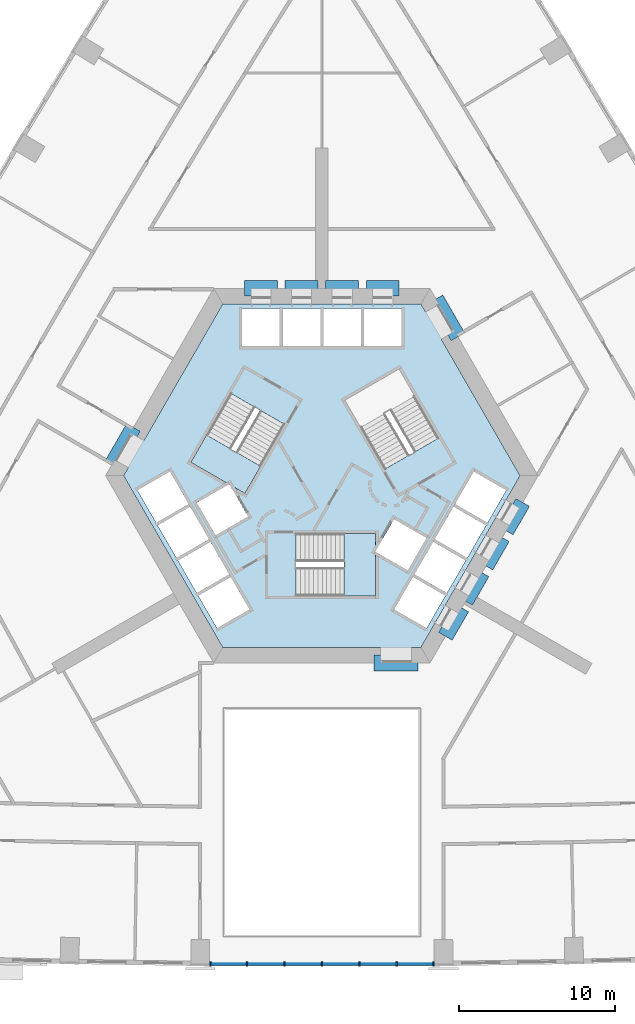
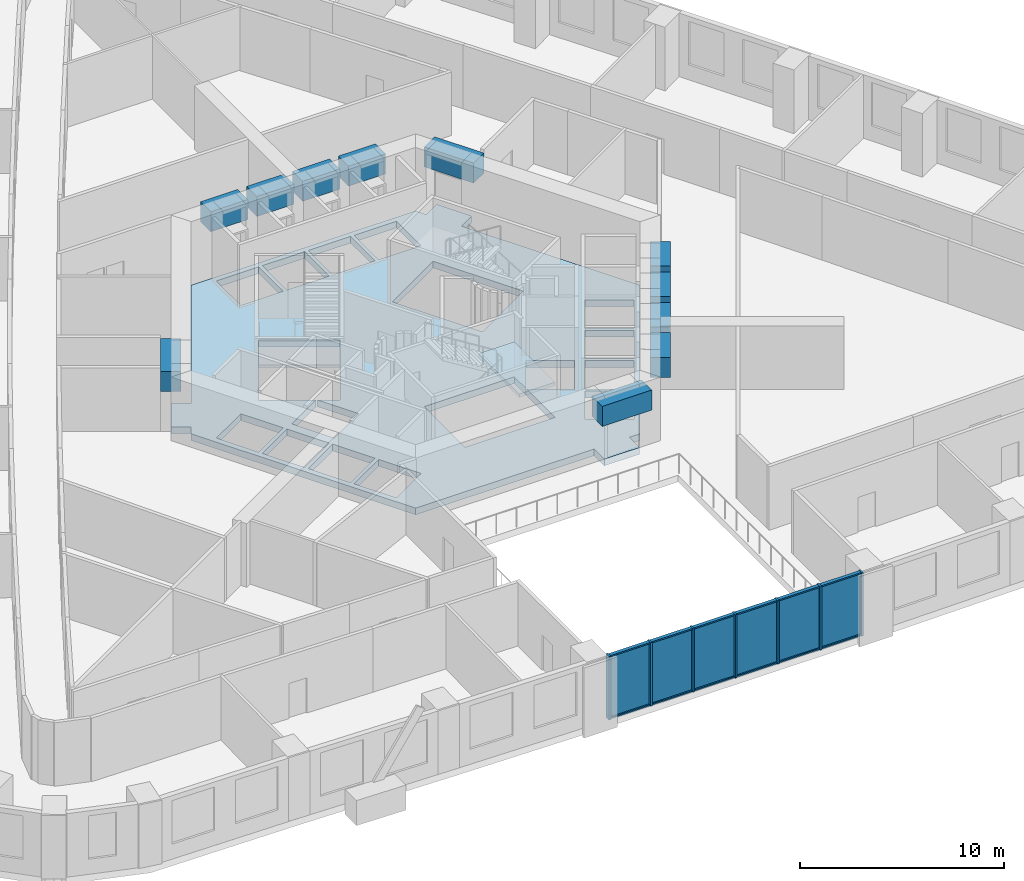
# One storey, part 2 of 13: 19 members, 11 beams, 6 plates, 3 slabs, 3 elements without a shape of their own.
"""IFC4 building model written with IfcOpenShell, lengths in metres."""

from ifc_helpers import new_model, si_unit, direction, frame, origin, origin_2d, place, context, subcontext, project, spatial, polyline, rectangle, outline, extrude, material, layer, layer_set, material_profile, profile_set, type_object, element, aggregate, save


model = new_model("IFC4")

# Units and contexts
model_context = context("Model", 3, precision=1e-05, world=origin(), true_north=direction((0.0, 1.0)))
body_context = subcontext(model_context, "Body", "Model", "MODEL_VIEW")
ifc_project = project(units=[si_unit("LENGTHUNIT", "METRE"), si_unit("AREAUNIT", "SQUARE_METRE"), si_unit("VOLUMEUNIT", "CUBIC_METRE"), si_unit("PLANEANGLEUNIT", "RADIAN"), si_unit("MASSUNIT", "GRAM", prefix="KILO")], contexts=[model_context])

# Site, building, storey
site_placement = place(None, origin())
site = spatial("IfcSite", under=ifc_project, at=site_placement, CompositionType="ELEMENT")
building_placement = place(site_placement, origin())
building = spatial("IfcBuilding", under=site, at=building_placement, Name="Entoto Arch Interchange Tower", CompositionType="ELEMENT")
storey_placement = place(building_placement, frame((0.0, 0.0, 51.800048828125)))
storey = spatial("IfcBuildingStorey", under=building, at=storey_placement, Name="L10", CompositionType="ELEMENT", Elevation=51.800048828125)

# Beams
ifc_material_1 = material(Name="Concrete C60/75", Category="concrete")
ifc_material_profile_1 = material_profile(ifc_material_1, rectangle(XDim=1.0, YDim=1.199951171875, at=origin_2d()))
ifc_profile_set_1 = profile_set([ifc_material_profile_1], Name="Concrete C60/75")
beam_type = type_object("IfcBeamType", Name="Coupling beam RC 1000x1200 C60/75", PredefinedType="BEAM", material=ifc_profile_set_1)
beam_1_placement = place(storey_placement, frame((8.717041015625, 11.402099609375, 3.0), z_axis=(-0.500200581029, 0.865909567298, 0.0), x_axis=(-0.865909567298, -0.500200581029, 0.0)))
element("IfcBeam", 1, at=beam_1_placement, inside=storey, type_object=beam_type, Name="Coupling beam NE L10", PredefinedType="BEAM", context=body_context, shape_type="SweptSolid", body=[
    extrude(rectangle(XDim=1.0, YDim=1.199951171875, at=origin_2d()), origin(), (0.0, 0.0, 1.0), 2.799072265625),
])
beam_2_placement = place(storey_placement, frame((4.949951171875, 14.5, 3.0), z_axis=(-1.0, 0.0, 0.0), x_axis=(0.0, -1.0, 0.0)))
element("IfcBeam", 2, at=beam_2_placement, inside=storey, type_object=beam_type, Name="Coupling beam N L10", PredefinedType="BEAM", context=body_context, shape_type="SweptSolid", body=[
    extrude(rectangle(XDim=1.0, YDim=1.199951171875, at=origin_2d()), origin(), (0.0, 0.0, 1.0), 2.099853515625),
])
for number, where, z_axis, x_axis, name in (
    (3, (2.35009765625, 14.5, 3.0), (-1.0, 0.0, 0.0), (0.0, -1.0, 0.0), "Coupling beam N L10"),
    (4, (-0.25, 14.5, 3.0), (-1.0, 0.0, 0.0), (0.0, -1.0, 0.0), "Coupling beam N L10"),
):
    element("IfcBeam", number, at=place(storey_placement, frame(where, z_axis=z_axis, x_axis=x_axis)), inside=storey, type_object=beam_type, Name=name, PredefinedType="BEAM", context=body_context, shape_type="SweptSolid", body=[
        extrude(rectangle(XDim=1.0, YDim=1.199951171875, at=origin_2d()), origin(), (0.0, 0.0, 1.0), 2.10009765625),
    ])
beam_3_placement = place(storey_placement, frame((-2.85009765625, 14.5, 3.0), z_axis=(-1.0, 0.0, 0.0), x_axis=(0.0, -1.0, 0.0)))
element("IfcBeam", 5, at=beam_3_placement, inside=storey, type_object=beam_type, Name="Coupling beam N L10", PredefinedType="BEAM", context=body_context, shape_type="SweptSolid", body=[
    extrude(rectangle(XDim=1.0, YDim=1.199951171875, at=origin_2d()), origin(), (0.0, 0.0, 1.0), 2.099853515625),
])
beam_4_placement = place(storey_placement, frame((-12.06689453125, 5.597900390625, 3.0), z_axis=(-0.500200581029, -0.865909567298, 0.0), x_axis=(0.865909567298, -0.500200581029, 0.0)))
element("IfcBeam", 6, at=beam_4_placement, inside=storey, type_object=beam_type, Name="Coupling beam NW L10", PredefinedType="BEAM", context=body_context, shape_type="SweptSolid", body=[
    extrude(rectangle(XDim=1.0, YDim=1.199951171875, at=origin_2d()), origin(), (0.0, 0.0, 1.0), 2.799072265625),
])
beam_5_placement = place(storey_placement, frame((3.35009765625, -9.5, 3.0), z_axis=(1.0, 0.0, 0.0), x_axis=(0.0, 1.0, 0.0)))
element("IfcBeam", 7, at=beam_5_placement, inside=storey, type_object=beam_type, Name="Coupling beam S L10", PredefinedType="BEAM", context=body_context, shape_type="SweptSolid", body=[
    extrude(rectangle(XDim=1.0, YDim=1.199951171875, at=origin_2d()), origin(), (0.0, 0.0, 1.0), 2.7998046875),
])
for number, where, z_axis, x_axis, name in (
    (8, (7.9169921875, -7.785888671875, 3.0), (0.500178781653, 0.865922159541, 0.0), (-0.865922159541, 0.500178781653, 0.0), "Coupling beam SE L10"),
    (9, (9.217041015625, -5.534912109375, 3.0), (0.500178781653, 0.865922159541, 0.0), (-0.865922159541, 0.500178781653, 0.0), "Coupling beam SE L10"),
):
    element("IfcBeam", number, at=place(storey_placement, frame(where, z_axis=z_axis, x_axis=x_axis)), inside=storey, type_object=beam_type, Name=name, PredefinedType="BEAM", context=body_context, shape_type="SweptSolid", body=[
        extrude(rectangle(XDim=1.0, YDim=1.199951171875, at=origin_2d()), origin(), (0.0, 0.0, 1.0), 2.099365234375),
    ])
beam_6_placement = place(storey_placement, frame((10.51708984375, -3.282958984375, 3.0), z_axis=(0.500091574638, 0.865972526687, 0.0), x_axis=(-0.865972526687, 0.500091574638, 0.0)))
element("IfcBeam", 10, at=beam_6_placement, inside=storey, type_object=beam_type, Name="Coupling beam SE L10", PredefinedType="BEAM", context=body_context, shape_type="SweptSolid", body=[
    extrude(rectangle(XDim=1.0, YDim=1.199951171875, at=origin_2d()), origin(), (0.0, 0.0, 1.0), 2.09912109375),
])
beam_7_placement = place(storey_placement, frame((11.81689453125, -1.031982421875, 3.0), z_axis=(0.500178781653, 0.865922159541, 0.0), x_axis=(-0.865922159541, 0.500178781653, 0.0)))
element("IfcBeam", 11, at=beam_7_placement, inside=storey, type_object=beam_type, Name="Coupling beam SE L10", PredefinedType="BEAM", context=body_context, shape_type="SweptSolid", body=[
    extrude(rectangle(XDim=1.0, YDim=1.199951171875, at=origin_2d()), origin(), (0.0, 0.0, 1.0), 2.099365234375),
])

# Curtain wall, members
ifc_material_2 = material(Name="Aluminium, anodised", Category="aluminium")
curtain_wall_type = type_object("IfcCurtainWallType", Name="CURTAIN WALL ATRIUM", PredefinedType="NOTDEFINED", material=ifc_material_2)
curtain_wall_placement = place(storey_placement, origin())
curtain_wall = element("IfcCurtainWall", 12, at=curtain_wall_placement, inside=storey, type_object=curtain_wall_type, Name="Atrium glazing S-04 L10", PredefinedType="NOTDEFINED")
ifc_material_profile_2 = material_profile(ifc_material_2, rectangle(XDim=0.300048828125, YDim=0.10009765625, at=origin_2d()))
ifc_profile_set_2 = profile_set([ifc_material_profile_2], Name="Aluminium, anodised")
member_type_1 = type_object("IfcMemberType", Name="MULLION ATRIUM 100x300", PredefinedType="MULLION", material=ifc_profile_set_2)
member_1_placement = place(storey_placement, frame((-7.14794921875, -28.784912109375, 0.0), z_axis=(0.0, 0.0, 1.0), x_axis=(0.0, 1.0, 0.0)))
member_1 = element("IfcMember", 13, at=member_1_placement, type_object=member_type_1, Name="CWA mullion 1", PredefinedType="MULLION", context=body_context, shape_type="SweptSolid", body=[
    extrude(rectangle(XDim=0.300048828125, YDim=0.10009765625, at=origin_2d()), origin(), (0.0, 0.0, 1.0), 3.800048828125),
])
member_2_placement = place(storey_placement, frame((-4.798583984375, -28.784912109375, 0.0), z_axis=(0.0, 0.0, 1.0), x_axis=(0.0, 1.0, 0.0)))
member_2 = element("IfcMember", 14, at=member_2_placement, type_object=member_type_1, Name="CWA mullion 2", PredefinedType="MULLION", context=body_context, shape_type="SweptSolid", body=[
    extrude(rectangle(XDim=0.300048828125, YDim=0.10009765625, at=origin_2d()), origin(), (0.0, 0.0, 1.0), 3.800048828125),
])
member_3_placement = place(storey_placement, frame((-2.3994140625, -28.784912109375, 0.0), z_axis=(0.0, 0.0, 1.0), x_axis=(0.0, 1.0, 0.0)))
member_3 = element("IfcMember", 15, at=member_3_placement, type_object=member_type_1, Name="CWA mullion 3", PredefinedType="MULLION", context=body_context, shape_type="SweptSolid", body=[
    extrude(rectangle(XDim=0.300048828125, YDim=0.10009765625, at=origin_2d()), origin(), (0.0, 0.0, 1.0), 3.800048828125),
])
member_4_placement = place(storey_placement, frame((0.0, -28.784912109375, 0.0), z_axis=(0.0, 0.0, 1.0), x_axis=(0.0, 1.0, 0.0)))
member_4 = element("IfcMember", 16, at=member_4_placement, type_object=member_type_1, Name="CWA mullion 4", PredefinedType="MULLION", context=body_context, shape_type="SweptSolid", body=[
    extrude(rectangle(XDim=0.300048828125, YDim=0.10009765625, at=origin_2d()), origin(), (0.0, 0.0, 1.0), 3.800048828125),
])
member_5_placement = place(storey_placement, frame((2.3994140625, -28.784912109375, 0.0), z_axis=(0.0, 0.0, 1.0), x_axis=(0.0, 1.0, 0.0)))
member_5 = element("IfcMember", 17, at=member_5_placement, type_object=member_type_1, Name="CWA mullion 5", PredefinedType="MULLION", context=body_context, shape_type="SweptSolid", body=[
    extrude(rectangle(XDim=0.300048828125, YDim=0.10009765625, at=origin_2d()), origin(), (0.0, 0.0, 1.0), 3.800048828125),
])
member_6_placement = place(storey_placement, frame((4.798583984375, -28.784912109375, 0.0), z_axis=(0.0, 0.0, 1.0), x_axis=(0.0, 1.0, 0.0)))
member_6 = element("IfcMember", 18, at=member_6_placement, type_object=member_type_1, Name="CWA mullion 6", PredefinedType="MULLION", context=body_context, shape_type="SweptSolid", body=[
    extrude(rectangle(XDim=0.300048828125, YDim=0.10009765625, at=origin_2d()), origin(), (0.0, 0.0, 1.0), 3.800048828125),
])
member_7_placement = place(storey_placement, frame((7.14794921875, -28.784912109375, 0.0), z_axis=(0.0, 0.0, 1.0), x_axis=(0.0, 1.0, 0.0)))
member_7 = element("IfcMember", 19, at=member_7_placement, type_object=member_type_1, Name="CWA mullion 7", PredefinedType="MULLION", context=body_context, shape_type="SweptSolid", body=[
    extrude(rectangle(XDim=0.300048828125, YDim=0.10009765625, at=origin_2d()), origin(), (0.0, 0.0, 1.0), 3.800048828125),
])
ifc_material_profile_3 = material_profile(ifc_material_2, rectangle(XDim=0.199951171875, YDim=0.080078125, at=origin_2d()))
ifc_profile_set_3 = profile_set([ifc_material_profile_3], Name="Aluminium, anodised")
member_type_2 = type_object("IfcMemberType", Name="TRANSOM ATRIUM 80x200", PredefinedType="USERDEFINED", material=ifc_profile_set_3)
member_8_placement = place(storey_placement, frame((-7.097900390625, -28.784912109375, 0.0400390625), z_axis=(1.0, 0.0, 0.0), x_axis=(0.0, 1.0, 0.0)))
member_8 = element("IfcMember", 20, at=member_8_placement, type_object=member_type_2, Name="CWA transom 1.1", ObjectType="TRANSOM", PredefinedType="USERDEFINED", context=body_context, shape_type="SweptSolid", body=[
    extrude(rectangle(XDim=0.199951171875, YDim=0.080078125, at=origin_2d()), origin(), (0.0, 0.0, 1.0), 2.249267578125),
])
member_9_placement = place(storey_placement, frame((-7.097900390625, -28.784912109375, 3.760009765625), z_axis=(1.0, 0.0, 0.0), x_axis=(0.0, 1.0, 0.0)))
member_9 = element("IfcMember", 21, at=member_9_placement, type_object=member_type_2, Name="CWA transom 1.2", ObjectType="TRANSOM", PredefinedType="USERDEFINED", context=body_context, shape_type="SweptSolid", body=[
    extrude(rectangle(XDim=0.199951171875, YDim=0.080078125, at=origin_2d()), origin(), (0.0, 0.0, 1.0), 2.249267578125),
])
member_10_placement = place(storey_placement, frame((-4.748779296875, -28.784912109375, 0.0400390625), z_axis=(1.0, 0.0, 0.0), x_axis=(0.0, 1.0, 0.0)))
member_10 = element("IfcMember", 22, at=member_10_placement, type_object=member_type_2, Name="CWA transom 2.1", ObjectType="TRANSOM", PredefinedType="USERDEFINED", context=body_context, shape_type="SweptSolid", body=[
    extrude(rectangle(XDim=0.199951171875, YDim=0.080078125, at=origin_2d()), origin(), (0.0, 0.0, 1.0), 2.299560546875),
])
member_11_placement = place(storey_placement, frame((-4.748779296875, -28.784912109375, 3.760009765625), z_axis=(1.0, 0.0, 0.0), x_axis=(0.0, 1.0, 0.0)))
member_11 = element("IfcMember", 23, at=member_11_placement, type_object=member_type_2, Name="CWA transom 2.2", ObjectType="TRANSOM", PredefinedType="USERDEFINED", context=body_context, shape_type="SweptSolid", body=[
    extrude(rectangle(XDim=0.199951171875, YDim=0.080078125, at=origin_2d()), origin(), (0.0, 0.0, 1.0), 2.299560546875),
])
member_12_placement = place(storey_placement, frame((-2.349365234375, -28.784912109375, 0.0400390625), z_axis=(1.0, 0.0, 0.0), x_axis=(0.0, 1.0, 0.0)))
member_12 = element("IfcMember", 24, at=member_12_placement, type_object=member_type_2, Name="CWA transom 3.1", ObjectType="TRANSOM", PredefinedType="USERDEFINED", context=body_context, shape_type="SweptSolid", body=[
    extrude(rectangle(XDim=0.199951171875, YDim=0.080078125, at=origin_2d()), origin(), (0.0, 0.0, 1.0), 2.29931640625),
])
member_13_placement = place(storey_placement, frame((-2.349365234375, -28.784912109375, 3.760009765625), z_axis=(1.0, 0.0, 0.0), x_axis=(0.0, 1.0, 0.0)))
member_13 = element("IfcMember", 25, at=member_13_placement, type_object=member_type_2, Name="CWA transom 3.2", ObjectType="TRANSOM", PredefinedType="USERDEFINED", context=body_context, shape_type="SweptSolid", body=[
    extrude(rectangle(XDim=0.199951171875, YDim=0.080078125, at=origin_2d()), origin(), (0.0, 0.0, 1.0), 2.29931640625),
])
member_14_placement = place(storey_placement, frame((0.050048828125, -28.784912109375, 0.0400390625), z_axis=(1.0, 0.0, 0.0), x_axis=(0.0, 1.0, 0.0)))
member_14 = element("IfcMember", 26, at=member_14_placement, type_object=member_type_2, Name="CWA transom 4.1", ObjectType="TRANSOM", PredefinedType="USERDEFINED", context=body_context, shape_type="SweptSolid", body=[
    extrude(rectangle(XDim=0.199951171875, YDim=0.080078125, at=origin_2d()), origin(), (0.0, 0.0, 1.0), 2.29931640625),
])
member_15_placement = place(storey_placement, frame((0.050048828125, -28.784912109375, 3.760009765625), z_axis=(1.0, 0.0, 0.0), x_axis=(0.0, 1.0, 0.0)))
member_15 = element("IfcMember", 27, at=member_15_placement, type_object=member_type_2, Name="CWA transom 4.2", ObjectType="TRANSOM", PredefinedType="USERDEFINED", context=body_context, shape_type="SweptSolid", body=[
    extrude(rectangle(XDim=0.199951171875, YDim=0.080078125, at=origin_2d()), origin(), (0.0, 0.0, 1.0), 2.29931640625),
])
member_16_placement = place(storey_placement, frame((2.44921875, -28.784912109375, 0.0400390625), z_axis=(1.0, 0.0, 0.0), x_axis=(0.0, 1.0, 0.0)))
member_16 = element("IfcMember", 28, at=member_16_placement, type_object=member_type_2, Name="CWA transom 5.1", ObjectType="TRANSOM", PredefinedType="USERDEFINED", context=body_context, shape_type="SweptSolid", body=[
    extrude(rectangle(XDim=0.199951171875, YDim=0.080078125, at=origin_2d()), origin(), (0.0, 0.0, 1.0), 2.299560546875),
])
member_17_placement = place(storey_placement, frame((2.44921875, -28.784912109375, 3.760009765625), z_axis=(1.0, 0.0, 0.0), x_axis=(0.0, 1.0, 0.0)))
member_17 = element("IfcMember", 29, at=member_17_placement, type_object=member_type_2, Name="CWA transom 5.2", ObjectType="TRANSOM", PredefinedType="USERDEFINED", context=body_context, shape_type="SweptSolid", body=[
    extrude(rectangle(XDim=0.199951171875, YDim=0.080078125, at=origin_2d()), origin(), (0.0, 0.0, 1.0), 2.299560546875),
])
member_18_placement = place(storey_placement, frame((4.8486328125, -28.784912109375, 0.0400390625), z_axis=(1.0, 0.0, 0.0), x_axis=(0.0, 1.0, 0.0)))
member_18 = element("IfcMember", 30, at=member_18_placement, type_object=member_type_2, Name="CWA transom 6.1", ObjectType="TRANSOM", PredefinedType="USERDEFINED", context=body_context, shape_type="SweptSolid", body=[
    extrude(rectangle(XDim=0.199951171875, YDim=0.080078125, at=origin_2d()), origin(), (0.0, 0.0, 1.0), 2.249267578125),
])
member_19_placement = place(storey_placement, frame((4.8486328125, -28.784912109375, 3.760009765625), z_axis=(1.0, 0.0, 0.0), x_axis=(0.0, 1.0, 0.0)))
member_19 = element("IfcMember", 31, at=member_19_placement, type_object=member_type_2, Name="CWA transom 6.2", ObjectType="TRANSOM", PredefinedType="USERDEFINED", context=body_context, shape_type="SweptSolid", body=[
    extrude(rectangle(XDim=0.199951171875, YDim=0.080078125, at=origin_2d()), origin(), (0.0, 0.0, 1.0), 2.249267578125),
])

# Slab
ifc_material_3 = material(Name="Concrete C40/50", Category="concrete")
ifc_layer_1 = layer(ifc_material_3, 0.39990234375)
ifc_layer_set_1 = layer_set([ifc_layer_1], Name="Concrete C40/50")
slab_type_1 = type_object("IfcSlabType", Name="Core floor slab 400 C40/50", PredefinedType="FLOOR", material=ifc_layer_set_1)
slab_1_placement = place(storey_placement, frame((0.0, 0.0, -0.400146484375)))
element("IfcSlab", 32, at=slab_1_placement, inside=storey, type_object=slab_type_1, Name="Core floor slab L10", PredefinedType="FLOOR", context=body_context, shape_type="SweptSolid", body=[
    extrude(outline(polyline([(5.75, -9.5), (3.75, -9.5), (3.75, -8.5), (-6.35107421875, -8.5), (-12.701904296875, 2.5), (-12.402099609375, 3.02001953125), (-13.26708984375, 3.52001953125), (-12.26708984375, 5.251953125), (-11.402099609375, 4.751953125), (-6.35107421875, 13.5), (6.35107421875, 13.5), (6.65087890625, 12.97998046875), (7.51708984375, 13.47998046875), (8.51708984375, 11.748046875), (7.65087890625, 11.248046875), (12.701904296875, 2.5), (6.35107421875, -8.5), (5.75, -8.5), (5.75, -9.5)]), holes=[polyline([(-4.637939453125, -6.06689453125), (-5.837890625, -3.988037109375), (-7.916015625, -5.18798828125), (-6.716064453125, -7.26708984375), (-4.637939453125, -6.06689453125)]), polyline([(-5.93798828125, -3.81494140625), (-7.137939453125, -1.737060546875), (-9.216064453125, -2.93701171875), (-8.01611328125, -5.014892578125), (-5.93798828125, -3.81494140625)]), polyline([(5.5048828125, -3.56494140625), (6.705078125, -1.487060546875), (4.626953125, -0.287109375), (3.449951171875, -2.324951171875), (3.449951171875, -1.199951171875), (-1.64990234375, -1.199951171875), (-1.64990234375, -5.199951171875), (3.449951171875, -5.199951171875), (3.449951171875, -2.3779296875), (5.5048828125, -3.56494140625)]), polyline([(-7.238037109375, -1.56298828125), (-8.43798828125, 0.514892578125), (-10.51611328125, -0.68505859375), (-9.31591796875, -2.762939453125), (-7.238037109375, -1.56298828125)]), polyline([(-4.72705078125, -0.113037109375), (-5.904052734375, 1.925048828125), (-4.928955078125, 1.362060546875), (-2.37890625, 5.779052734375), (-5.843017578125, 7.779052734375), (-8.39306640625, 3.362060546875), (-5.949951171875, 1.951904296875), (-8.0048828125, 0.764892578125), (-6.804931640625, -1.31298828125), (-4.72705078125, -0.113037109375)]), polyline([(-8.5380859375, 0.68798828125), (-9.738037109375, 2.76708984375), (-11.81591796875, 1.56689453125), (-10.615966796875, -0.511962890625), (-8.5380859375, 0.68798828125)]), polyline([(-5.10009765625, 10.800048828125), (-2.699951171875, 10.800048828125), (-2.699951171875, 13.199951171875), (-5.10009765625, 13.199951171875), (-5.10009765625, 10.800048828125)]), polyline([(-2.5, 10.800048828125), (-0.10009765625, 10.800048828125), (-0.10009765625, 13.199951171875), (-2.5, 13.199951171875), (-2.5, 10.800048828125)]), polyline([(5.837890625, -3.988037109375), (4.637939453125, -6.06689453125), (6.716064453125, -7.26708984375), (7.916015625, -5.18798828125), (5.837890625, -3.988037109375)]), polyline([(7.137939453125, -1.737060546875), (5.93798828125, -3.81494140625), (8.01611328125, -5.014892578125), (9.216064453125, -2.93701171875), (7.137939453125, -1.737060546875)]), polyline([(8.43798828125, 0.514892578125), (7.238037109375, -1.56298828125), (9.31591796875, -2.762939453125), (10.51611328125, -0.68505859375), (8.43798828125, 0.514892578125)]), polyline([(9.738037109375, 2.76708984375), (8.5380859375, 0.68798828125), (10.615966796875, -0.511962890625), (11.81591796875, 1.56689453125), (9.738037109375, 2.76708984375)]), polyline([(4.029052734375, 2.9208984375), (7.492919921875, 4.9208984375), (4.943115234375, 9.337890625), (1.47900390625, 7.337890625), (4.029052734375, 2.9208984375)]), polyline([(0.10009765625, 13.199951171875), (0.10009765625, 10.800048828125), (2.5, 10.800048828125), (2.5, 13.199951171875), (0.10009765625, 13.199951171875)]), polyline([(2.699951171875, 13.199951171875), (2.699951171875, 10.800048828125), (5.10009765625, 10.800048828125), (5.10009765625, 13.199951171875), (2.699951171875, 13.199951171875)])]), origin(), (0.0, 0.0, 1.0), 0.400146484375),
])

# Stair, slab
stair_type = type_object("IfcStairType", Name="EXIT STAIR RC 1800", PredefinedType="HALF_TURN_STAIR", material=ifc_material_3)
stair_1_placement = place(storey_placement, origin())
stair_1 = element("IfcStair", 33, at=stair_1_placement, inside=storey, type_object=stair_type, Name="L10 Exit stair S", PredefinedType="HALF_TURN_STAIR")
ifc_layer_2 = layer(ifc_material_3, 0.199951171875)
ifc_layer_set_2 = layer_set([ifc_layer_2], Name="Concrete C40/50")
slab_type_2 = type_object("IfcSlabType", Name="EXIT STAIR LANDING RC 200", PredefinedType="LANDING", material=ifc_layer_set_2)
slab_2_placement = place(storey_placement, frame((0.0, 0.0, 1.89990234375)))
slab_2 = element("IfcSlab", 34, at=slab_2_placement, type_object=slab_type_2, Name="ST-S landing 1", PredefinedType="LANDING", context=body_context, shape_type="SweptSolid", body=[
    extrude(outline(polyline([(1.429931640625, -5.199951171875), (3.449951171875, -5.199951171875), (3.449951171875, -1.199951171875), (1.429931640625, -1.199951171875), (1.429931640625, -5.199951171875)])), origin(), (0.0, 0.0, 1.0), 0.199951171875),
])
aggregate(stair_1, [slab_2])

stair_2_placement = place(storey_placement, origin())
stair_2 = element("IfcStair", 35, at=stair_2_placement, inside=storey, type_object=stair_type, Name="L10 Exit stair NW", PredefinedType="HALF_TURN_STAIR")
slab_3_placement = place(storey_placement, frame((0.0, 0.0, 1.89990234375)))
slab_3 = element("IfcSlab", 36, at=slab_3_placement, type_object=slab_type_2, Name="ST-NW landing 1", PredefinedType="LANDING", context=body_context, shape_type="SweptSolid", body=[
    extrude(outline(polyline([(-7.38330078125, 5.111572265625), (-8.393310546875, 3.3623046875), (-4.92919921875, 1.3623046875), (-3.919189453125, 3.111572265625), (-7.38330078125, 5.111572265625)])), origin(), (0.0, 0.0, 1.0), 0.199951171875),
])
aggregate(stair_2, [slab_3])

# Plate
ifc_material_4 = material(Name="Clear glass, low-e double glazed", Category="glass")
ifc_layer_3 = layer(ifc_material_4, 0.031982421875)
ifc_layer_set_3 = layer_set([ifc_layer_3], Name="Clear glass, low-e double glazed")
plate_type = type_object("IfcPlateType", Name="GLAZING PANEL ATRIUM 32", PredefinedType="CURTAIN_PANEL", material=ifc_layer_set_3)
plate_1_placement = place(storey_placement, frame((-5.973388671875, -28.784912109375, 0.080078125), z_axis=(0.0, 0.0, 1.0), x_axis=(1.0, 0.0, 0.0)))
plate_1 = element("IfcPlate", 37, at=plate_1_placement, type_object=plate_type, Name="CWA panel 1.1", PredefinedType="CURTAIN_PANEL", context=body_context, shape_type="SweptSolid", body=[
    extrude(rectangle(XDim=2.249267578125, YDim=0.031982421875, at=origin_2d()), origin(), (0.0, 0.0, 1.0), 3.639892578125),
])

plate_2_placement = place(storey_placement, frame((-3.59912109375, -28.784912109375, 0.080078125), z_axis=(0.0, 0.0, 1.0), x_axis=(1.0, 0.0, 0.0)))
plate_2 = element("IfcPlate", 38, at=plate_2_placement, type_object=plate_type, Name="CWA panel 2.1", PredefinedType="CURTAIN_PANEL", context=body_context, shape_type="SweptSolid", body=[
    extrude(rectangle(XDim=2.29931640625, YDim=0.031982421875, at=origin_2d()), origin(), (0.0, 0.0, 1.0), 3.639892578125),
])

plate_3_placement = place(storey_placement, frame((-1.19970703125, -28.784912109375, 0.080078125), z_axis=(0.0, 0.0, 1.0), x_axis=(1.0, 0.0, 0.0)))
plate_3 = element("IfcPlate", 39, at=plate_3_placement, type_object=plate_type, Name="CWA panel 3.1", PredefinedType="CURTAIN_PANEL", context=body_context, shape_type="SweptSolid", body=[
    extrude(rectangle(XDim=2.29931640625, YDim=0.031982421875, at=origin_2d()), origin(), (0.0, 0.0, 1.0), 3.639892578125),
])

plate_4_placement = place(storey_placement, frame((1.19970703125, -28.784912109375, 0.080078125), z_axis=(0.0, 0.0, 1.0), x_axis=(1.0, 0.0, 0.0)))
plate_4 = element("IfcPlate", 40, at=plate_4_placement, type_object=plate_type, Name="CWA panel 4.1", PredefinedType="CURTAIN_PANEL", context=body_context, shape_type="SweptSolid", body=[
    extrude(rectangle(XDim=2.29931640625, YDim=0.031982421875, at=origin_2d()), origin(), (0.0, 0.0, 1.0), 3.639892578125),
])

plate_5_placement = place(storey_placement, frame((3.59912109375, -28.784912109375, 0.080078125), z_axis=(0.0, 0.0, 1.0), x_axis=(1.0, 0.0, 0.0)))
plate_5 = element("IfcPlate", 41, at=plate_5_placement, type_object=plate_type, Name="CWA panel 5.1", PredefinedType="CURTAIN_PANEL", context=body_context, shape_type="SweptSolid", body=[
    extrude(rectangle(XDim=2.29931640625, YDim=0.031982421875, at=origin_2d()), origin(), (0.0, 0.0, 1.0), 3.639892578125),
])

plate_6_placement = place(storey_placement, frame((5.973388671875, -28.784912109375, 0.080078125), z_axis=(0.0, 0.0, 1.0), x_axis=(1.0, 0.0, 0.0)))
plate_6 = element("IfcPlate", 42, at=plate_6_placement, type_object=plate_type, Name="CWA panel 6.1", PredefinedType="CURTAIN_PANEL", context=body_context, shape_type="SweptSolid", body=[
    extrude(rectangle(XDim=2.249267578125, YDim=0.031982421875, at=origin_2d()), origin(), (0.0, 0.0, 1.0), 3.639892578125),
])

aggregate(curtain_wall, [member_1, member_2, member_3, member_4, member_5, member_6, member_7, member_8, member_9, plate_1, member_10, member_11, plate_2, member_12, member_13, plate_3, member_14, member_15, plate_4, member_16, member_17, plate_5, member_18, member_19, plate_6])

save(model, "model.ifc")
